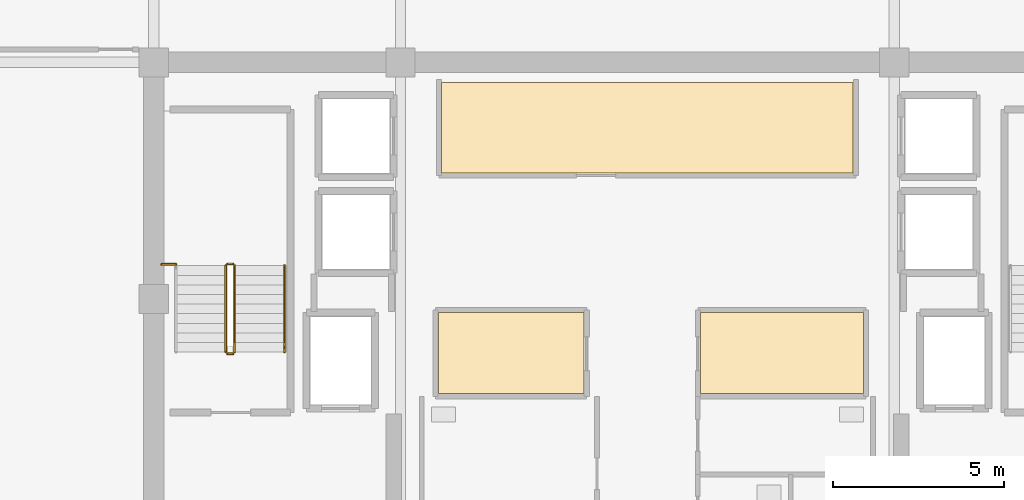
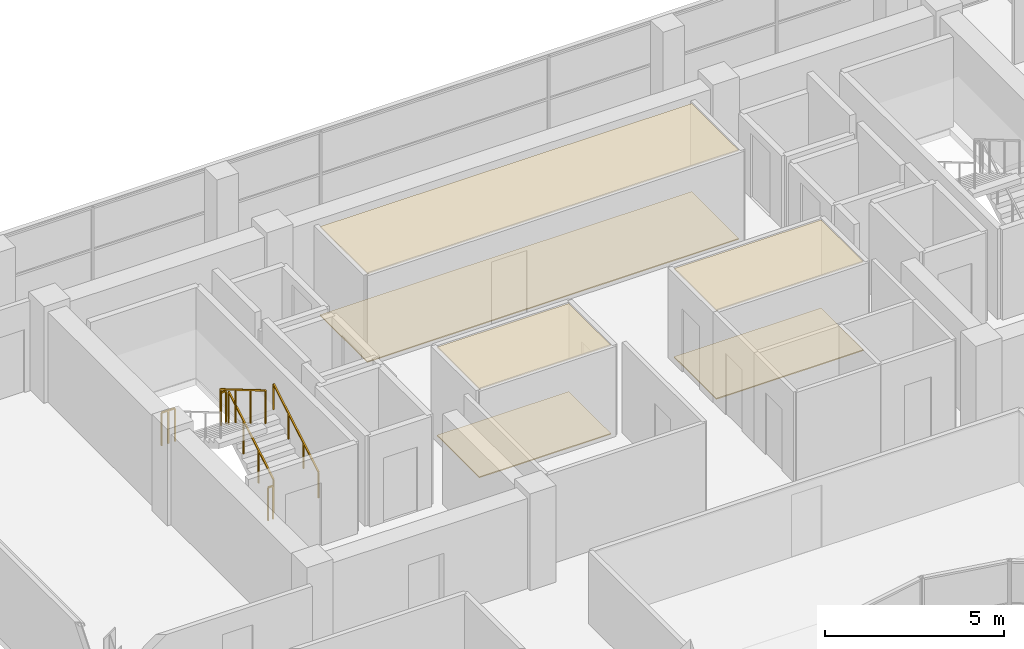
# One storey, part 26 of 28: 6 coverings, 6 railings.
"""IFC4 building model written with IfcOpenShell, lengths in metres."""

from ifc_helpers import new_model, si_unit, direction, frame, origin, origin_2d, place, context, subcontext, project, spatial, polyline, rectangle, outline, extrude, material, layer, layer_set, type_object, element, save


model = new_model("IFC4")

# Units and contexts
model_context = context("Model", 3, precision=1e-05, world=origin(), true_north=direction((0.0, 1.0)))
body_context = subcontext(model_context, "Body", "Model", "MODEL_VIEW")
ifc_project = project(units=[si_unit("LENGTHUNIT", "METRE"), si_unit("AREAUNIT", "SQUARE_METRE"), si_unit("VOLUMEUNIT", "CUBIC_METRE"), si_unit("PLANEANGLEUNIT", "RADIAN"), si_unit("MASSUNIT", "GRAM", prefix="KILO")], contexts=[model_context])

# Site, building, storey
site_placement = place(None, origin())
site = spatial("IfcSite", under=ifc_project, at=site_placement, CompositionType="ELEMENT")
building_placement = place(site_placement, origin())
building = spatial("IfcBuilding", under=site, at=building_placement, Name="Zarnakvel Exchange Tower", CompositionType="ELEMENT")
storey_placement = place(building_placement, frame((0.0, 0.0, 268.300048828125)))
storey = spatial("IfcBuildingStorey", under=building, at=storey_placement, Name="L76", CompositionType="ELEMENT", Elevation=268.300048828125)

# Coverings
ifc_material_1 = material(Name="Perforated Bronze Acoustic Metal Ceiling", Category="aluminium")
ifc_layer_1 = layer(ifc_material_1, 0.02001953125)
ifc_layer_set_1 = layer_set([ifc_layer_1], Name="Perforated Bronze Acoustic Metal Ceiling")
covering_type_1 = type_object("IfcCoveringType", Name="CLG-01", PredefinedType="CEILING", material=ifc_layer_set_1)
covering_1_placement = place(storey_placement, frame((0.0, 0.0, 3.02001953125)))
element("IfcCovering", 1, at=covering_1_placement, inside=storey, type_object=covering_type_1, Name="L76 Suspended Acoustic Ceiling (Market Data Archive Suite)", PredefinedType="CEILING", context=body_context, shape_type="SweptSolid", body=[
    extrude(outline(polyline([(-6.0, 12.919921875), (6.0, 12.919921875), (6.0, 10.280029296875), (-6.0, 10.280029296875), (-6.0, 12.919921875)])), origin(), (0.0, 0.0, 1.0), 0.02001953125),
])
covering_2_placement = place(storey_placement, frame((0.0, 0.0, 3.02001953125)))
element("IfcCovering", 2, at=covering_2_placement, inside=storey, type_object=covering_type_1, Name="L76 Suspended Acoustic Ceiling (Sovereign Compliance Office)", PredefinedType="CEILING", context=body_context, shape_type="SweptSolid", body=[
    extrude(outline(polyline([(-6.10009765625, 6.199951171875), (-1.85009765625, 6.199951171875), (-1.85009765625, 3.840087890625), (-6.10009765625, 3.840087890625), (-6.10009765625, 6.199951171875)])), origin(), (0.0, 0.0, 1.0), 0.02001953125),
])
covering_3_placement = place(storey_placement, frame((0.0, 0.0, 3.02001953125)))
element("IfcCovering", 3, at=covering_3_placement, inside=storey, type_object=covering_type_1, Name="L76 Suspended Acoustic Ceiling (Depository Legal Office)", PredefinedType="CEILING", context=body_context, shape_type="SweptSolid", body=[
    extrude(outline(polyline([(1.550048828125, 6.199951171875), (6.300048828125, 6.199951171875), (6.300048828125, 3.840087890625), (1.550048828125, 3.840087890625), (1.550048828125, 6.199951171875)])), origin(), (0.0, 0.0, 1.0), 0.02001953125),
])
ifc_material_2 = material(Name="Heavy-Duty Raised Access Floor Panel", Category="steel")
ifc_layer_2 = layer(ifc_material_2, 0.034912109375)
ifc_layer_set_2 = layer_set([ifc_layer_2], Name="Heavy-Duty Raised Access Floor Panel")
covering_type_2 = type_object("IfcCoveringType", Name="FLR-02", PredefinedType="FLOORING", material=ifc_layer_set_2)
covering_4_placement = place(storey_placement, origin())
element("IfcCovering", 4, at=covering_4_placement, inside=storey, type_object=covering_type_2, Name="L76 Floor Finish (Market Data Archive Suite)", PredefinedType="FLOORING", context=body_context, shape_type="SweptSolid", body=[
    extrude(outline(polyline([(-6.0, 12.919921875), (6.0, 12.919921875), (6.0, 10.280029296875), (-6.0, 10.280029296875), (-6.0, 12.919921875)])), origin(), (0.0, 0.0, 1.0), 0.034912109375),
])
covering_5_placement = place(storey_placement, origin())
element("IfcCovering", 5, at=covering_5_placement, inside=storey, type_object=covering_type_2, Name="L76 Floor Finish (Sovereign Compliance Office)", PredefinedType="FLOORING", context=body_context, shape_type="SweptSolid", body=[
    extrude(outline(polyline([(-6.10009765625, 6.199951171875), (-1.85009765625, 6.199951171875), (-1.85009765625, 3.840087890625), (-6.10009765625, 3.840087890625), (-6.10009765625, 6.199951171875)])), origin(), (0.0, 0.0, 1.0), 0.034912109375),
])
covering_6_placement = place(storey_placement, origin())
element("IfcCovering", 6, at=covering_6_placement, inside=storey, type_object=covering_type_2, Name="L76 Floor Finish (Depository Legal Office)", PredefinedType="FLOORING", context=body_context, shape_type="SweptSolid", body=[
    extrude(outline(polyline([(1.550048828125, 6.199951171875), (6.300048828125, 6.199951171875), (6.300048828125, 3.840087890625), (1.550048828125, 3.840087890625), (1.550048828125, 6.199951171875)])), origin(), (0.0, 0.0, 1.0), 0.034912109375),
])

# Railings
ifc_material_3 = material(Name="Brushed Stainless Steel", Category="steel")
railing_type_1 = type_object("IfcRailingType", Name="HR-01", PredefinedType="HANDRAIL", material=ifc_material_3)
railing_1_placement = place(storey_placement, frame((-10.590087890625, 5.050048828125, 0.1650390625)))
element("IfcRailing", 7, at=railing_1_placement, inside=storey, type_object=railing_type_1, Name="L76 ST-01 stair handrail 1", PredefinedType="HANDRAIL", context=body_context, shape_type="SweptSolid", body=[
    extrude(rectangle(XDim=0.048095703125, YDim=0.048095703125, at=origin_2d()), frame((0.0, 0.0, 0.8759765625), z_axis=(0.0, 0.861560626758, 0.507654692109), x_axis=(-1.0, 0.0, 0.0)), (0.0, 0.0, 1.0), 2.925048828125),
    extrude(rectangle(XDim=0.0419921875, YDim=0.0419921875, at=origin_2d()), origin(), (0.0, 0.0, 1.0), 0.851806640625),
    extrude(rectangle(XDim=0.0419921875, YDim=0.0419921875, at=origin_2d()), frame((0.0, 0.840087890625, 0.494873046875)), (0.0, 0.0, 1.0), 0.851806640625),
    extrude(rectangle(XDim=0.0419921875, YDim=0.0419921875, at=origin_2d()), frame((0.0, 1.679931640625, 0.989990234375)), (0.0, 0.0, 1.0), 0.851806640625),
    extrude(rectangle(XDim=0.0419921875, YDim=0.0419921875, at=origin_2d()), frame((0.0, 2.52001953125, 1.48486328125)), (0.0, 0.0, 1.0), 0.851806640625),
])
ifc_material_4 = material(Name="Architectural Bronze Anodised Aluminium", Category="aluminium")
railing_type_2 = type_object("IfcRailingType", Name="SG-01", PredefinedType="GUARDRAIL", material=ifc_material_4)
railing_2_placement = place(storey_placement, frame((-12.0400390625, 5.050048828125, 0.1650390625)))
element("IfcRailing", 8, at=railing_2_placement, inside=storey, type_object=railing_type_2, Name="L76 ST-01 stair guard 1", PredefinedType="GUARDRAIL", context=body_context, shape_type="SweptSolid", body=[
    extrude(rectangle(XDim=0.048095703125, YDim=0.048095703125, at=origin_2d()), frame((0.0, 0.0, 1.1259765625), z_axis=(0.0, 0.861560626758, 0.507654692109), x_axis=(-1.0, 0.0, 0.0)), (0.0, 0.0, 1.0), 2.925048828125),
    extrude(rectangle(XDim=0.0419921875, YDim=0.0419921875, at=origin_2d()), origin(), (0.0, 0.0, 1.0), 1.101806640625),
    extrude(rectangle(XDim=0.0419921875, YDim=0.0419921875, at=origin_2d()), frame((0.0, 0.840087890625, 0.494873046875)), (0.0, 0.0, 1.0), 1.101806640625),
    extrude(rectangle(XDim=0.0419921875, YDim=0.0419921875, at=origin_2d()), frame((0.0, 1.679931640625, 0.989990234375)), (0.0, 0.0, 1.0), 1.101806640625),
    extrude(rectangle(XDim=0.0419921875, YDim=0.0419921875, at=origin_2d()), frame((0.0, 2.52001953125, 1.48486328125)), (0.0, 0.0, 1.0), 1.101806640625),
])
railing_3_placement = place(storey_placement, frame((-12.090087890625, 7.6201171875, 1.64990234375)))
element("IfcRailing", 9, at=railing_3_placement, inside=storey, type_object=railing_type_2, Name="L76 ST-01 stair guard 2", PredefinedType="GUARDRAIL", context=body_context, shape_type="SweptSolid", body=[
    extrude(rectangle(XDim=0.048095703125, YDim=0.048095703125, at=origin_2d()), frame((0.0, 0.0, 1.1259765625), z_axis=(-1.0, 0.0, 0.0), x_axis=(0.0, -1.0, 0.0)), (0.0, 0.0, 1.0), 0.159912109375),
    extrude(rectangle(XDim=0.0419921875, YDim=0.0419921875, at=origin_2d()), origin(), (0.0, 0.0, 1.0), 1.101806640625),
    extrude(rectangle(XDim=0.0419921875, YDim=0.0419921875, at=origin_2d()), frame((-0.159912109375, 0.0, 0.0)), (0.0, 0.0, 1.0), 1.101806640625),
])
railing_4_placement = place(storey_placement, frame((-12.300048828125, 7.570068359375, 1.81494140625)))
element("IfcRailing", 10, at=railing_4_placement, inside=storey, type_object=railing_type_2, Name="L76 ST-01 stair guard 3", PredefinedType="GUARDRAIL", context=body_context, shape_type="SweptSolid", body=[
    extrude(rectangle(XDim=0.048095703125, YDim=0.048095703125, at=origin_2d()), frame((0.0, 0.0, 1.1259765625), z_axis=(0.0, -0.86152411907, 0.507716645641), x_axis=(1.0, 0.0, 0.0)), (0.0, 0.0, 1.0), 2.925048828125),
    extrude(rectangle(XDim=0.0419921875, YDim=0.0419921875, at=origin_2d()), origin(), (0.0, 0.0, 1.0), 1.101806640625),
    extrude(rectangle(XDim=0.0419921875, YDim=0.0419921875, at=origin_2d()), frame((0.0, -0.840087890625, 0.4951171875)), (0.0, 0.0, 1.0), 1.101806640625),
    extrude(rectangle(XDim=0.0419921875, YDim=0.0419921875, at=origin_2d()), frame((0.0, -1.679931640625, 0.989990234375)), (0.0, 0.0, 1.0), 1.101806640625),
    extrude(rectangle(XDim=0.0419921875, YDim=0.0419921875, at=origin_2d()), frame((0.0, -2.52001953125, 1.485107421875)), (0.0, 0.0, 1.0), 1.101806640625),
])
railing_5_placement = place(storey_placement, frame((-12.090087890625, 5.0, 0.0)))
element("IfcRailing", 11, at=railing_5_placement, inside=storey, type_object=railing_type_2, Name="L76 ST-01 stair guard 4", PredefinedType="GUARDRAIL", context=body_context, shape_type="SweptSolid", body=[
    extrude(rectangle(XDim=0.048095703125, YDim=0.048095703125, at=origin_2d()), frame((0.0, 0.0, 1.1259765625), z_axis=(-1.0, 0.0, 0.0), x_axis=(0.0, -1.0, 0.0)), (0.0, 0.0, 1.0), 0.159912109375),
    extrude(rectangle(XDim=0.0419921875, YDim=0.0419921875, at=origin_2d()), origin(), (0.0, 0.0, 1.0), 1.101806640625),
    extrude(rectangle(XDim=0.0419921875, YDim=0.0419921875, at=origin_2d()), frame((-0.159912109375, 0.0, 0.0)), (0.0, 0.0, 1.0), 1.101806640625),
])
railing_6_placement = place(storey_placement, frame((-14.179931640625, 7.610107421875, 1.64990234375)))
element("IfcRailing", 12, at=railing_6_placement, inside=storey, type_object=railing_type_2, Name="L76 ST-01 Landing Slot Guardrail", PredefinedType="GUARDRAIL", context=body_context, shape_type="SweptSolid", body=[
    extrude(rectangle(XDim=0.048095703125, YDim=0.048095703125, at=origin_2d()), frame((0.0, 0.0, 1.1259765625), z_axis=(1.0, 0.0, 0.0), x_axis=(0.0, 1.0, 0.0)), (0.0, 0.0, 1.0), 0.429931640625),
    extrude(rectangle(XDim=0.0419921875, YDim=0.0419921875, at=origin_2d()), origin(), (0.0, 0.0, 1.0), 1.101806640625),
    extrude(rectangle(XDim=0.0419921875, YDim=0.0419921875, at=origin_2d()), frame((0.21484375, 0.0, 0.0)), (0.0, 0.0, 1.0), 1.101806640625),
    extrude(rectangle(XDim=0.0419921875, YDim=0.0419921875, at=origin_2d()), frame((0.429931640625, 0.0, 0.0)), (0.0, 0.0, 1.0), 1.101806640625),
])

save(model, "model.ifc")
